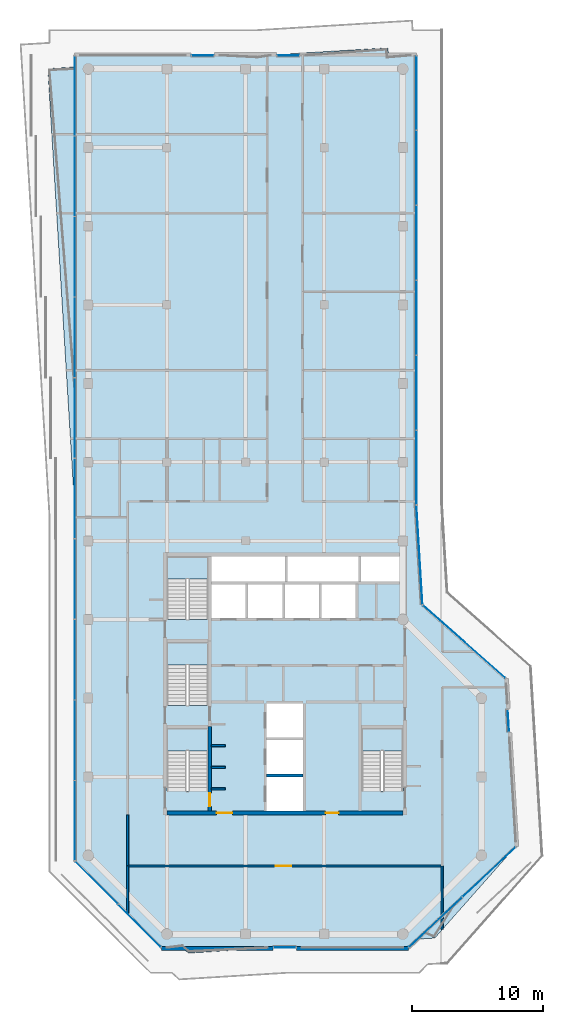
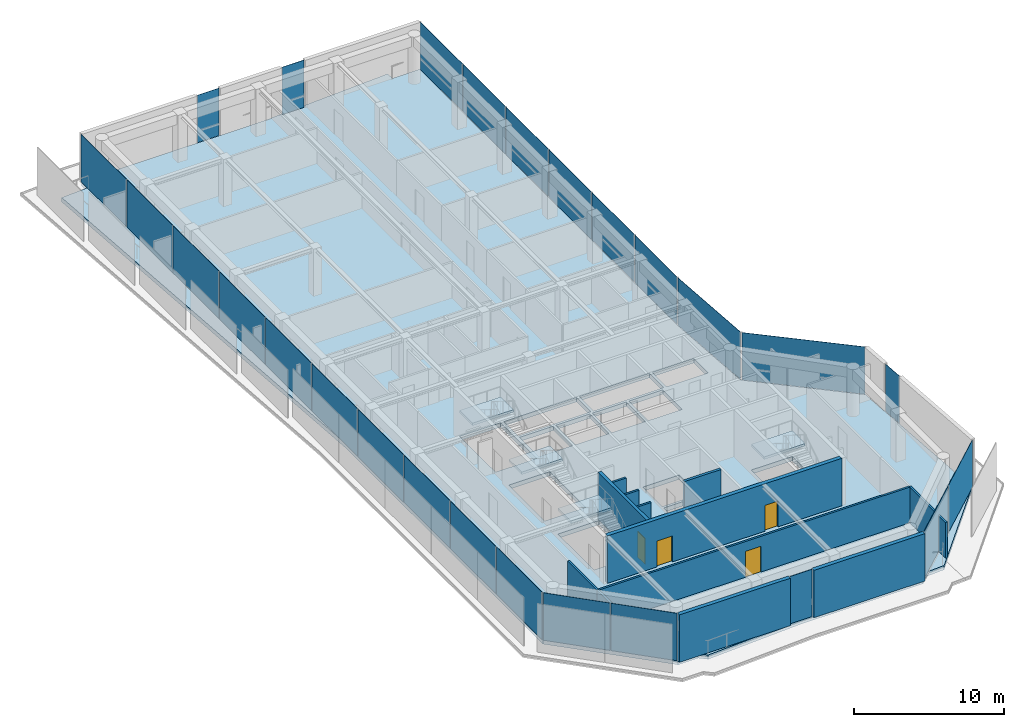
# One storey, part 16 of 21: 26 plates, 12 walls, 5 slabs, 4 doors, 4 openings, 14 elements without a shape of their own.
"""IFC4 building model written with IfcOpenShell, lengths in metres."""

from ifc_helpers import new_model, si_unit, direction, frame, frame_2d, origin, origin_2d, place, context, subcontext, project, spatial, polyline, rectangle, outline, extrude, material, layer, layer_set, type_object, element, fill, aggregate, save


model = new_model("IFC4")

# Units and contexts
model_context = context("Model", 3, precision=1e-05, world=origin(), true_north=direction((0.0, 1.0)))
body_context = subcontext(model_context, "Body", "Model", "MODEL_VIEW")
ifc_project = project(units=[si_unit("LENGTHUNIT", "METRE"), si_unit("AREAUNIT", "SQUARE_METRE"), si_unit("VOLUMEUNIT", "CUBIC_METRE"), si_unit("PLANEANGLEUNIT", "RADIAN"), si_unit("MASSUNIT", "GRAM", prefix="KILO")], contexts=[model_context])

# Site, building, storey
site_placement = place(None, origin())
site = spatial("IfcSite", under=ifc_project, at=site_placement, CompositionType="ELEMENT")
building_placement = place(site_placement, origin())
building = spatial("IfcBuilding", under=site, at=building_placement, Name="Welwitschia Terrace Campus", CompositionType="ELEMENT")
storey_placement = place(building_placement, frame((0.0, 0.0, 302.0)))
storey = spatial("IfcBuildingStorey", under=building, at=storey_placement, Name="L67", CompositionType="ELEMENT", Elevation=302.0)

# Curtain wall, plates
ifc_material_1 = material(Name="Bronze anodised aluminium", Category="aluminium")
ifc_layer_1 = layer(ifc_material_1, 0.1201171875)
ifc_layer_set_1 = layer_set([ifc_layer_1], Name="Bronze anodised aluminium")
curtain_wall_type = type_object("IfcCurtainWallType", Name="Curtain wall CW2 tower 6000", PredefinedType="NOTDEFINED", material=ifc_layer_set_1)
curtain_wall_1_placement = place(storey_placement, origin())
curtain_wall_1 = element("IfcCurtainWall", 1, at=curtain_wall_1_placement, inside=storey, type_object=curtain_wall_type, Name="CW L67.0.0", PredefinedType="NOTDEFINED")
ifc_material_2 = material(Name="Tinted bronze-grey glass", Category="glass")
ifc_layer_2 = layer(ifc_material_2, 0.028076171875)
ifc_layer_set_2 = layer_set([ifc_layer_2], Name="Tinted bronze-grey glass")
plate_type = type_object("IfcPlateType", Name="Glass panel 28 tinted", PredefinedType="CURTAIN_PANEL", material=ifc_layer_set_2)
plate_1_placement = place(storey_placement, frame((0.63134765625, -0.088134765625, 0.0), z_axis=(0.0, 0.0, 1.0), x_axis=(0.707106781187, -0.707106781187, 0.0)))
plate_1 = element("IfcPlate", 2, at=plate_1_placement, type_object=plate_type, Name="Panel L67.0.0.0", PredefinedType="CURTAIN_PANEL", context=body_context, shape_type="SweptSolid", body=[
    extrude(rectangle(XDim=4.579345703125, YDim=0.028076171875, at=origin_2d()), origin(), (0.0, 0.0, 1.0), 3.85009765625),
])
plate_2_placement = place(storey_placement, frame((3.911865234375, -3.36865234375, 0.0), z_axis=(0.0, 0.0, 1.0), x_axis=(0.707106781187, -0.707106781187, 0.0)))
plate_2 = element("IfcPlate", 3, at=plate_2_placement, type_object=plate_type, Name="Panel L67.0.0.1", PredefinedType="CURTAIN_PANEL", context=body_context, shape_type="SweptSolid", body=[
    extrude(rectangle(XDim=4.579345703125, YDim=0.028076171875, at=origin_2d()), origin(), (0.0, 0.0, 1.0), 3.85009765625),
])
aggregate(curtain_wall_1, [plate_1, plate_2])

# Curtain wall, plate
curtain_wall_2_placement = place(storey_placement, origin())
curtain_wall_2 = element("IfcCurtainWall", 4, at=curtain_wall_2_placement, inside=storey, type_object=curtain_wall_type, Name="CW L67.1.S0", PredefinedType="NOTDEFINED")
plate_3_placement = place(storey_placement, frame((15.0, -5.030029296875, 0.0), z_axis=(0.0, 0.0, 1.0), x_axis=(1.0, 0.0, 0.0)))
plate_3 = element("IfcPlate", 5, at=plate_3_placement, type_object=plate_type, Name="Panel L67.1.S0.0", PredefinedType="CURTAIN_PANEL", context=body_context, shape_type="SweptSolid", body=[
    extrude(rectangle(XDim=1.679931640625, YDim=0.028076171875, at=origin_2d()), origin(), (0.0, 0.0, 1.0), 3.85009765625),
])
aggregate(curtain_wall_2, [plate_3])

# Curtain wall, plates
curtain_wall_3_placement = place(storey_placement, origin())
curtain_wall_3 = element("IfcCurtainWall", 6, at=curtain_wall_3_placement, inside=storey, type_object=curtain_wall_type, Name="CW L67.2.0", PredefinedType="NOTDEFINED")
plate_4_placement = place(storey_placement, frame((26.48974609375, -3.09619140625, 0.0), z_axis=(0.0, 0.0, 1.0), x_axis=(0.729574100684, 0.68390177044, 0.0)))
plate_4 = element("IfcPlate", 7, at=plate_4_placement, type_object=plate_type, Name="Panel L67.2.0.0", PredefinedType="CURTAIN_PANEL", context=body_context, shape_type="SweptSolid", body=[
    extrude(rectangle(XDim=5.53564453125, YDim=0.028076171875, at=origin_2d()), origin(), (0.0, 0.0, 1.0), 3.85009765625),
])
plate_5_placement = place(storey_placement, frame((30.572021484375, 0.730712890625, 0.0), z_axis=(0.0, 0.0, 1.0), x_axis=(0.729574100684, 0.68390177044, 0.0)))
plate_5 = element("IfcPlate", 8, at=plate_5_placement, type_object=plate_type, Name="Panel L67.2.0.1", PredefinedType="CURTAIN_PANEL", context=body_context, shape_type="SweptSolid", body=[
    extrude(rectangle(XDim=5.53564453125, YDim=0.028076171875, at=origin_2d()), origin(), (0.0, 0.0, 1.0), 3.85009765625),
])
aggregate(curtain_wall_3, [plate_4, plate_5])

# Curtain wall, plate
curtain_wall_4_placement = place(storey_placement, origin())
curtain_wall_4 = element("IfcCurtainWall", 9, at=curtain_wall_4_placement, inside=storey, type_object=curtain_wall_type, Name="CW L67.3.S0", PredefinedType="NOTDEFINED")
plate_6_placement = place(storey_placement, frame((32.046630859375, 12.28662109375, 0.0), z_axis=(0.0, 0.0, 1.0), x_axis=(-0.061048539535, 0.998134798422, 0.0)))
plate_6 = element("IfcPlate", 10, at=plate_6_placement, type_object=plate_type, Name="Panel L67.3.S0.0", PredefinedType="CURTAIN_PANEL", context=body_context, shape_type="SweptSolid", body=[
    extrude(rectangle(XDim=1.679931640625, YDim=0.028076171875, at=origin_2d()), origin(), (0.0, 0.0, 1.0), 3.85009765625),
])
aggregate(curtain_wall_4, [plate_6])

curtain_wall_5_placement = place(storey_placement, origin())
curtain_wall_5 = element("IfcCurtainWall", 11, at=curtain_wall_5_placement, inside=storey, type_object=curtain_wall_type, Name="CW L67.4.0", PredefinedType="NOTDEFINED")
plate_7_placement = place(storey_placement, frame((28.6728515625, 18.30517578125, 0.0), z_axis=(0.0, 0.0, 1.0), x_axis=(-0.748955720789, 0.662620048216, 0.0)))
plate_7 = element("IfcPlate", 12, at=plate_7_placement, type_object=plate_type, Name="Panel L67.4.0.0", PredefinedType="CURTAIN_PANEL", context=body_context, shape_type="SweptSolid", body=[
    extrude(rectangle(XDim=8.365234375, YDim=0.028076171875, at=origin_2d()), origin(), (0.0, 0.0, 1.0), 3.85009765625),
])
aggregate(curtain_wall_5, [plate_7])

curtain_wall_6_placement = place(storey_placement, origin())
curtain_wall_6 = element("IfcCurtainWall", 13, at=curtain_wall_6_placement, inside=storey, type_object=curtain_wall_type, Name="CW L67.5.0", PredefinedType="NOTDEFINED")
plate_8_placement = place(storey_placement, frame((25.2626953125, 24.921142578125, 0.0), z_axis=(0.0, 0.0, 1.0), x_axis=(-0.061048539535, 0.998134798422, 0.0)))
plate_8 = element("IfcPlate", 14, at=plate_8_placement, type_object=plate_type, Name="Panel L67.5.0.0", PredefinedType="CURTAIN_PANEL", context=body_context, shape_type="SweptSolid", body=[
    extrude(rectangle(XDim=7.503662109375, YDim=0.028076171875, at=origin_2d()), origin(), (0.0, 0.0, 1.0), 3.85009765625),
])
aggregate(curtain_wall_6, [plate_8])

# Curtain wall, plates
curtain_wall_7_placement = place(storey_placement, origin())
curtain_wall_7 = element("IfcCurtainWall", 15, at=curtain_wall_7_placement, inside=storey, type_object=curtain_wall_type, Name="CW L67.6.0", PredefinedType="NOTDEFINED")
plate_9_placement = place(storey_placement, frame((25.030029296875, 31.599609375, 0.0), z_axis=(0.0, 0.0, 1.0), x_axis=(0.0, 1.0, 0.0)))
plate_9 = element("IfcPlate", 16, at=plate_9_placement, type_object=plate_type, Name="Panel L67.6.0.0", PredefinedType="CURTAIN_PANEL", context=body_context, shape_type="SweptSolid", body=[
    extrude(rectangle(XDim=5.62744140625, YDim=0.028076171875, at=origin_2d()), origin(), (0.0, 0.0, 1.0), 3.85009765625),
])
plate_10_placement = place(storey_placement, frame((25.030029296875, 37.302001953125, 0.0), z_axis=(0.0, 0.0, 1.0), x_axis=(0.0, 1.0, 0.0)))
plate_10 = element("IfcPlate", 17, at=plate_10_placement, type_object=plate_type, Name="Panel L67.6.0.1", PredefinedType="CURTAIN_PANEL", context=body_context, shape_type="SweptSolid", body=[
    extrude(rectangle(XDim=5.6572265625, YDim=0.028076171875, at=origin_2d()), origin(), (0.0, 0.0, 1.0), 3.85009765625),
])
plate_11_placement = place(storey_placement, frame((25.030029296875, 43.019287109375, 0.0), z_axis=(0.0, 0.0, 1.0), x_axis=(0.0, 1.0, 0.0)))
plate_11 = element("IfcPlate", 18, at=plate_11_placement, type_object=plate_type, Name="Panel L67.6.0.2", PredefinedType="CURTAIN_PANEL", context=body_context, shape_type="SweptSolid", body=[
    extrude(rectangle(XDim=5.6572265625, YDim=0.028076171875, at=origin_2d()), origin(), (0.0, 0.0, 1.0), 3.85009765625),
])
plate_12_placement = place(storey_placement, frame((25.030029296875, 48.736572265625, 0.0), z_axis=(0.0, 0.0, 1.0), x_axis=(0.0, 1.0, 0.0)))
plate_12 = element("IfcPlate", 19, at=plate_12_placement, type_object=plate_type, Name="Panel L67.6.0.3", PredefinedType="CURTAIN_PANEL", context=body_context, shape_type="SweptSolid", body=[
    extrude(rectangle(XDim=5.6572265625, YDim=0.028076171875, at=origin_2d()), origin(), (0.0, 0.0, 1.0), 3.85009765625),
])
plate_13_placement = place(storey_placement, frame((25.030029296875, 54.4541015625, 0.0), z_axis=(0.0, 0.0, 1.0), x_axis=(0.0, 1.0, 0.0)))
plate_13 = element("IfcPlate", 20, at=plate_13_placement, type_object=plate_type, Name="Panel L67.6.0.4", PredefinedType="CURTAIN_PANEL", context=body_context, shape_type="SweptSolid", body=[
    extrude(rectangle(XDim=5.6572265625, YDim=0.028076171875, at=origin_2d()), origin(), (0.0, 0.0, 1.0), 3.85009765625),
])
plate_14_placement = place(storey_placement, frame((25.030029296875, 60.15625, 0.0), z_axis=(0.0, 0.0, 1.0), x_axis=(0.0, 1.0, 0.0)))
plate_14 = element("IfcPlate", 21, at=plate_14_placement, type_object=plate_type, Name="Panel L67.6.0.5", PredefinedType="CURTAIN_PANEL", context=body_context, shape_type="SweptSolid", body=[
    extrude(rectangle(XDim=5.62744140625, YDim=0.028076171875, at=origin_2d()), origin(), (0.0, 0.0, 1.0), 3.85009765625),
])
aggregate(curtain_wall_7, [plate_9, plate_10, plate_11, plate_12, plate_13, plate_14])

# Curtain wall, plate
curtain_wall_8_placement = place(storey_placement, origin())
curtain_wall_8 = element("IfcCurtainWall", 22, at=curtain_wall_8_placement, inside=storey, type_object=curtain_wall_type, Name="CW L67.7.S0", PredefinedType="NOTDEFINED")
plate_15_placement = place(storey_placement, frame((15.257568359375, 63.030029296875, 0.0), z_axis=(0.0, 0.0, 1.0), x_axis=(-1.0, 0.0, 0.0)))
plate_15 = element("IfcPlate", 23, at=plate_15_placement, type_object=plate_type, Name="Panel L67.7.S0.0", PredefinedType="CURTAIN_PANEL", context=body_context, shape_type="SweptSolid", body=[
    extrude(rectangle(XDim=1.679931640625, YDim=0.028076171875, at=origin_2d()), origin(), (0.0, 0.0, 1.0), 3.85009765625),
])
aggregate(curtain_wall_8, [plate_15])

curtain_wall_9_placement = place(storey_placement, origin())
curtain_wall_9 = element("IfcCurtainWall", 24, at=curtain_wall_9_placement, inside=storey, type_object=curtain_wall_type, Name="CW L67.7.S1", PredefinedType="NOTDEFINED")
plate_16_placement = place(storey_placement, frame((8.742431640625, 63.030029296875, 0.0), z_axis=(0.0, 0.0, 1.0), x_axis=(-1.0, 0.0, 0.0)))
plate_16 = element("IfcPlate", 25, at=plate_16_placement, type_object=plate_type, Name="Panel L67.7.S1.0", PredefinedType="CURTAIN_PANEL", context=body_context, shape_type="SweptSolid", body=[
    extrude(rectangle(XDim=1.679931640625, YDim=0.028076171875, at=origin_2d()), origin(), (0.0, 0.0, 1.0), 3.85009765625),
])
aggregate(curtain_wall_9, [plate_16])

# Curtain wall, plates
curtain_wall_10_placement = place(storey_placement, origin())
curtain_wall_10 = element("IfcCurtainWall", 26, at=curtain_wall_10_placement, inside=storey, type_object=curtain_wall_type, Name="CW L67.8.0", PredefinedType="NOTDEFINED")
plate_17_placement = place(storey_placement, frame((-1.030029296875, 59.942138671875, 0.0), z_axis=(0.0, 0.0, 1.0), x_axis=(0.0, -1.0, 0.0)))
plate_17 = element("IfcPlate", 27, at=plate_17_placement, type_object=plate_type, Name="Panel L67.8.0.0", PredefinedType="CURTAIN_PANEL", context=body_context, shape_type="SweptSolid", body=[
    extrude(rectangle(XDim=6.0556640625, YDim=0.028076171875, at=origin_2d()), origin(), (0.0, 0.0, 1.0), 3.85009765625),
])
plate_18_placement = place(storey_placement, frame((-1.030029296875, 53.8115234375, 0.0), z_axis=(0.0, 0.0, 1.0), x_axis=(0.0, -1.0, 0.0)))
plate_18 = element("IfcPlate", 28, at=plate_18_placement, type_object=plate_type, Name="Panel L67.8.0.1", PredefinedType="CURTAIN_PANEL", context=body_context, shape_type="SweptSolid", body=[
    extrude(rectangle(XDim=6.085693359375, YDim=0.028076171875, at=origin_2d()), origin(), (0.0, 0.0, 1.0), 3.85009765625),
])
plate_19_placement = place(storey_placement, frame((-1.030029296875, 47.665771484375, 0.0), z_axis=(0.0, 0.0, 1.0), x_axis=(0.0, -1.0, 0.0)))
plate_19 = element("IfcPlate", 29, at=plate_19_placement, type_object=plate_type, Name="Panel L67.8.0.2", PredefinedType="CURTAIN_PANEL", context=body_context, shape_type="SweptSolid", body=[
    extrude(rectangle(XDim=6.085693359375, YDim=0.028076171875, at=origin_2d()), origin(), (0.0, 0.0, 1.0), 3.85009765625),
])
plate_20_placement = place(storey_placement, frame((-1.030029296875, 41.520263671875, 0.0), z_axis=(0.0, 0.0, 1.0), x_axis=(0.0, -1.0, 0.0)))
plate_20 = element("IfcPlate", 30, at=plate_20_placement, type_object=plate_type, Name="Panel L67.8.0.3", PredefinedType="CURTAIN_PANEL", context=body_context, shape_type="SweptSolid", body=[
    extrude(rectangle(XDim=6.085693359375, YDim=0.028076171875, at=origin_2d()), origin(), (0.0, 0.0, 1.0), 3.85009765625),
])
plate_21_placement = place(storey_placement, frame((-1.030029296875, 35.37451171875, 0.0), z_axis=(0.0, 0.0, 1.0), x_axis=(0.0, -1.0, 0.0)))
plate_21 = element("IfcPlate", 31, at=plate_21_placement, type_object=plate_type, Name="Panel L67.8.0.4", PredefinedType="CURTAIN_PANEL", context=body_context, shape_type="SweptSolid", body=[
    extrude(rectangle(XDim=6.085693359375, YDim=0.028076171875, at=origin_2d()), origin(), (0.0, 0.0, 1.0), 3.85009765625),
])
plate_22_placement = place(storey_placement, frame((-1.030029296875, 29.228759765625, 0.0), z_axis=(0.0, 0.0, 1.0), x_axis=(0.0, -1.0, 0.0)))
plate_22 = element("IfcPlate", 32, at=plate_22_placement, type_object=plate_type, Name="Panel L67.8.0.5", PredefinedType="CURTAIN_PANEL", context=body_context, shape_type="SweptSolid", body=[
    extrude(rectangle(XDim=6.085693359375, YDim=0.028076171875, at=origin_2d()), origin(), (0.0, 0.0, 1.0), 3.85009765625),
])
plate_23_placement = place(storey_placement, frame((-1.030029296875, 23.083251953125, 0.0), z_axis=(0.0, 0.0, 1.0), x_axis=(0.0, -1.0, 0.0)))
plate_23 = element("IfcPlate", 33, at=plate_23_placement, type_object=plate_type, Name="Panel L67.8.0.6", PredefinedType="CURTAIN_PANEL", context=body_context, shape_type="SweptSolid", body=[
    extrude(rectangle(XDim=6.085693359375, YDim=0.028076171875, at=origin_2d()), origin(), (0.0, 0.0, 1.0), 3.85009765625),
])
plate_24_placement = place(storey_placement, frame((-1.030029296875, 16.9375, 0.0), z_axis=(0.0, 0.0, 1.0), x_axis=(0.0, -1.0, 0.0)))
plate_24 = element("IfcPlate", 34, at=plate_24_placement, type_object=plate_type, Name="Panel L67.8.0.7", PredefinedType="CURTAIN_PANEL", context=body_context, shape_type="SweptSolid", body=[
    extrude(rectangle(XDim=6.085693359375, YDim=0.028076171875, at=origin_2d()), origin(), (0.0, 0.0, 1.0), 3.85009765625),
])
plate_25_placement = place(storey_placement, frame((-1.030029296875, 10.791748046875, 0.0), z_axis=(0.0, 0.0, 1.0), x_axis=(0.0, -1.0, 0.0)))
plate_25 = element("IfcPlate", 35, at=plate_25_placement, type_object=plate_type, Name="Panel L67.8.0.8", PredefinedType="CURTAIN_PANEL", context=body_context, shape_type="SweptSolid", body=[
    extrude(rectangle(XDim=6.085693359375, YDim=0.028076171875, at=origin_2d()), origin(), (0.0, 0.0, 1.0), 3.85009765625),
])
plate_26_placement = place(storey_placement, frame((-1.030029296875, 4.6611328125, 0.0), z_axis=(0.0, 0.0, 1.0), x_axis=(0.0, -1.0, 0.0)))
plate_26 = element("IfcPlate", 36, at=plate_26_placement, type_object=plate_type, Name="Panel L67.8.0.9", PredefinedType="CURTAIN_PANEL", context=body_context, shape_type="SweptSolid", body=[
    extrude(rectangle(XDim=6.0556640625, YDim=0.028076171875, at=origin_2d()), origin(), (0.0, 0.0, 1.0), 3.85009765625),
])
aggregate(curtain_wall_10, [plate_17, plate_18, plate_19, plate_20, plate_21, plate_22, plate_23, plate_24, plate_25, plate_26])

# Stair, slab
ifc_material_3 = material(Name="Concrete C40/50", Category="concrete")
stair_type = type_object("IfcStairType", Name="Stair 24R 175 W1500", PredefinedType="HALF_TURN_STAIR", material=ifc_material_3)
stair_1_placement = place(storey_placement, origin())
stair_1 = element("IfcStair", 37, at=stair_1_placement, inside=storey, type_object=stair_type, Name="L67 Exit stair S1", PredefinedType="HALF_TURN_STAIR")
ifc_material_4 = material(Name="Concrete C40/50", Category="concrete")
ifc_layer_3 = layer(ifc_material_4, 0.199951171875)
ifc_layer_set_3 = layer_set([ifc_layer_3], Name="Concrete C40/50")
slab_type_1 = type_object("IfcSlabType", Name="Stair landing RC", PredefinedType="LANDING", material=ifc_layer_set_3)
slab_1_placement = place(storey_placement, frame((0.0, 0.0, 1.89990234375)))
slab_1 = element("IfcSlab", 38, at=slab_1_placement, type_object=slab_type_1, Name="S1 landing 1", PredefinedType="LANDING", context=body_context, shape_type="SweptSolid", body=[
    extrude(outline(polyline([(9.14990234375, 9.97998046875), (9.14990234375, 11.699951171875), (6.0, 11.699951171875), (6.0, 9.97998046875), (9.14990234375, 9.97998046875)])), origin(), (0.0, 0.0, 1.0), 0.2001953125),
])
aggregate(stair_1, [slab_1])

stair_2_placement = place(storey_placement, origin())
stair_2 = element("IfcStair", 39, at=stair_2_placement, inside=storey, type_object=stair_type, Name="L67 Exit stair S3", PredefinedType="HALF_TURN_STAIR")
slab_2_placement = place(storey_placement, frame((0.0, 0.0, 1.89990234375)))
slab_2 = element("IfcSlab", 40, at=slab_2_placement, type_object=slab_type_1, Name="S3 landing 1", PredefinedType="LANDING", context=body_context, shape_type="SweptSolid", body=[
    extrude(outline(polyline([(9.14990234375, 16.530029296875), (9.14990234375, 18.25), (6.0, 18.25), (6.0, 16.530029296875), (9.14990234375, 16.530029296875)])), origin(), (0.0, 0.0, 1.0), 0.2001953125),
])
aggregate(stair_2, [slab_2])

stair_3_placement = place(storey_placement, origin())
stair_3 = element("IfcStair", 41, at=stair_3_placement, inside=storey, type_object=stair_type, Name="L67 Exit stair S4", PredefinedType="HALF_TURN_STAIR")
slab_3_placement = place(storey_placement, frame((0.0, 0.0, 1.89990234375)))
slab_3 = element("IfcSlab", 42, at=slab_3_placement, type_object=slab_type_1, Name="S4 landing 1", PredefinedType="LANDING", context=body_context, shape_type="SweptSolid", body=[
    extrude(outline(polyline([(9.14990234375, 23.080078125), (9.14990234375, 24.800048828125), (6.0, 24.800048828125), (6.0, 23.080078125), (9.14990234375, 23.080078125)])), origin(), (0.0, 0.0, 1.0), 0.2001953125),
])
aggregate(stair_3, [slab_3])

stair_4_placement = place(storey_placement, origin())
stair_4 = element("IfcStair", 43, at=stair_4_placement, inside=storey, type_object=stair_type, Name="L67 Exit stair S2", PredefinedType="HALF_TURN_STAIR")
slab_4_placement = place(storey_placement, frame((0.0, 0.0, 1.89990234375)))
slab_4 = element("IfcSlab", 44, at=slab_4_placement, type_object=slab_type_1, Name="S2 landing 1", PredefinedType="LANDING", context=body_context, shape_type="SweptSolid", body=[
    extrude(outline(polyline([(24.0, 9.97998046875), (24.0, 11.699951171875), (20.85009765625, 11.699951171875), (20.85009765625, 9.97998046875), (24.0, 9.97998046875)])), origin(), (0.0, 0.0, 1.0), 0.2001953125),
])
aggregate(stair_4, [slab_4])

# Slab
ifc_material_5 = material(Name="Concrete C40/50", Category="concrete")
ifc_layer_4 = layer(ifc_material_5, 0.35009765625)
ifc_layer_set_4 = layer_set([ifc_layer_4], Name="Concrete C40/50")
slab_type_2 = type_object("IfcSlabType", Name="Suspended floor slab 350", PredefinedType="FLOOR", material=ifc_layer_set_4)
slab_5_placement = place(storey_placement, frame((0.0, 0.0, -0.35009765625)))
element("IfcSlab", 45, at=slab_5_placement, inside=storey, type_object=slab_type_2, Name="Floor slab L67", PredefinedType="FLOOR", context=body_context, shape_type="SweptSolid", body=[
    extrude(outline(polyline([(-3.0849609375, 62.021240234375), (-1.0, 62.14892578125), (-1.0, 63.0), (12.91552734375, 63.0), (22.866455078125, 63.608642578125), (22.903564453125, 63.0), (25.0, 63.0), (25.0, 28.72509765625), (25.46630859375, 21.102294921875), (31.8212890625, 15.479736328125), (32.6044921875, 2.67529296875), (26.43310546875, -4.30029296875), (25.028076171875, -4.38623046875), (24.414306640625, -5.0), (14.9931640625, -5.0), (7.6396484375, -5.44970703125), (7.13134765625, -5.0), (5.585693359375, -5.0), (-1.0, 1.585693359375), (-1.0, 27.9306640625), (-3.0849609375, 62.021240234375)]), holes=[polyline([(13.60009765625, 8.0), (13.60009765625, 5.39990234375), (16.39990234375, 5.39990234375), (16.39990234375, 8.0), (13.60009765625, 8.0)]), polyline([(9.14990234375, 11.699951171875), (6.0, 11.699951171875), (6.0, 6.902099609375), (9.14990234375, 6.902099609375), (9.14990234375, 11.699951171875)]), polyline([(9.14990234375, 18.25), (6.0, 18.25), (6.0, 13.451904296875), (9.14990234375, 13.451904296875), (9.14990234375, 18.25)]), polyline([(12.0, 22.699951171875), (9.39990234375, 22.699951171875), (9.39990234375, 20.10009765625), (12.0, 20.10009765625), (12.0, 22.699951171875)]), polyline([(14.800048828125, 22.699951171875), (12.199951171875, 22.699951171875), (12.199951171875, 20.10009765625), (14.800048828125, 20.10009765625), (14.800048828125, 22.699951171875)]), polyline([(9.14990234375, 24.800048828125), (6.0, 24.800048828125), (6.0, 20.001953125), (9.14990234375, 20.001953125), (9.14990234375, 24.800048828125)]), polyline([(15.0, 24.800048828125), (9.39990234375, 24.800048828125), (9.39990234375, 22.89990234375), (15.0, 22.89990234375), (15.0, 24.800048828125)]), polyline([(20.85009765625, 11.699951171875), (20.85009765625, 6.902099609375), (24.0, 6.902099609375), (24.0, 11.699951171875), (20.85009765625, 11.699951171875)]), polyline([(16.39990234375, 10.800048828125), (13.60009765625, 10.800048828125), (13.60009765625, 8.199951171875), (16.39990234375, 8.199951171875), (16.39990234375, 10.800048828125)]), polyline([(16.39990234375, 13.60009765625), (13.60009765625, 13.60009765625), (13.60009765625, 11.0), (16.39990234375, 11.0), (16.39990234375, 13.60009765625)]), polyline([(17.60009765625, 22.699951171875), (15.0, 22.699951171875), (15.0, 20.10009765625), (17.60009765625, 20.10009765625), (17.60009765625, 22.699951171875)]), polyline([(20.39990234375, 22.699951171875), (17.800048828125, 22.699951171875), (17.800048828125, 20.10009765625), (20.39990234375, 20.10009765625), (20.39990234375, 22.699951171875)]), polyline([(20.60009765625, 24.800048828125), (15.199951171875, 24.800048828125), (15.199951171875, 22.89990234375), (20.60009765625, 22.89990234375), (20.60009765625, 24.800048828125)]), polyline([(24.0, 24.800048828125), (20.800048828125, 24.800048828125), (20.800048828125, 22.89990234375), (24.0, 22.89990234375), (24.0, 24.800048828125)])]), origin(), (0.0, 0.0, 1.0), 0.35009765625),
])

# Walls
ifc_material_6 = material(Name="Concrete C50/60", Category="concrete")
ifc_layer_5 = layer(ifc_material_6, 0.14990234375)
ifc_layer_set_5 = layer_set([ifc_layer_5], Name="Concrete C50/60")
wall_type_1 = type_object("IfcWallType", Name="Core wall 150 Concrete C50/60", PredefinedType="SHEAR", material=ifc_layer_set_5)
for number, where, z_axis, x_axis, name in (
    (46, (9.39990234375, 7.074951171875, 0.0), (0.0, 0.0, 1.0), (1.0, 0.0, 0.0), "Core wall"),
    (47, (9.39990234375, 8.72509765625, 0.0), (0.0, 0.0, 1.0), (1.0, 0.0, 0.0), "Core wall"),
    (48, (9.39990234375, 10.375, 0.0), (0.0, 0.0, 1.0), (1.0, 0.0, 0.0), "Core wall"),
):
    element("IfcWall", number, at=place(storey_placement, frame(where, z_axis=z_axis, x_axis=x_axis)), inside=storey, type_object=wall_type_1, Name=name, PredefinedType="SHEAR", context=body_context, shape_type="SweptSolid", body=[
        extrude(rectangle(XDim=1.050048828125, YDim=0.14990234375, at=frame_2d((0.52490234375, 0.0))), origin(), (0.0, 0.0, 1.0), 3.85009765625),
    ])
ifc_material_7 = material(Name="Concrete C50/60", Category="concrete")
ifc_layer_6 = layer(ifc_material_7, 0.199951171875)
ifc_layer_set_6 = layer_set([ifc_layer_6], Name="Concrete C50/60")
wall_type_2 = type_object("IfcWallType", Name="Core wall 200 Concrete C50/60", PredefinedType="SHEAR", material=ifc_layer_set_6)
wall_1_placement = place(storey_placement, frame((13.60009765625, 8.10009765625, 0.0), z_axis=(0.0, 0.0, 1.0), x_axis=(1.0, 0.0, 0.0)))
element("IfcWall", 49, at=wall_1_placement, inside=storey, type_object=wall_type_2, Name="Core wall", PredefinedType="SHEAR", context=body_context, shape_type="SweptSolid", body=[
    extrude(rectangle(XDim=2.7998046875, YDim=0.199951171875, at=frame_2d((1.39990234375, 0.0))), origin(), (0.0, 0.0, 1.0), 3.85009765625),
])

# Wall, opening, door
ifc_material_8 = material(Name="Concrete C50/60", Category="concrete")
ifc_layer_7 = layer(ifc_material_8, 0.25)
ifc_layer_set_7 = layer_set([ifc_layer_7], Name="Concrete C50/60")
wall_type_3 = type_object("IfcWallType", Name="Core wall 250 Concrete C50/60", PredefinedType="SHEAR", material=ifc_layer_set_7)
wall_2_placement = place(storey_placement, frame((9.27490234375, 11.824951171875, 0.0), z_axis=(0.0, 0.0, 1.0), x_axis=(0.0, -1.0, 0.0)))
wall_2 = element("IfcWall", 50, at=wall_2_placement, inside=storey, type_object=wall_type_3, Name="Core wall", PredefinedType="SHEAR", context=body_context, shape_type="SweptSolid", body=[
    extrude(rectangle(XDim=6.425048828125, YDim=0.25, at=frame_2d((3.21240234375, 0.0))), origin(), (0.0, 0.0, 1.0), 3.85009765625),
])
opening_1_placement = place(wall_2_placement, frame((5.074951171875, 0.0, 0.0)))
opening_1 = element("IfcOpeningElement", 51, at=opening_1_placement, cuts=wall_2, Name="Opening DS10", PredefinedType="OPENING", context=body_context, shape_type="SweptSolid", body=[
    extrude(rectangle(XDim=1.0, YDim=2.10009765625, at=frame_2d((0.5, 1.050048828125))), frame((0.0, 0.135009765625, 0.0), z_axis=(0.0, -1.0, 0.0), x_axis=(1.0, 0.0, 0.0)), (0.0, 0.0, 1.0), 0.27001953125),
])
ifc_material_9 = material(Name="Steel S275", Category="steel")
door_type_1 = type_object("IfcDoorType", Name="Core door DS10", OperationType="SINGLE_SWING_LEFT", PredefinedType="DOOR", material=ifc_material_9)
door_1_placement = place(opening_1_placement, origin())
door_1 = element("IfcDoor", 52, at=door_1_placement, inside=storey, type_object=door_type_1, Name="Door S1-FL", OperationType="SINGLE_SWING_RIGHT", OverallHeight=2.10009765625, OverallWidth=1.0, PredefinedType="DOOR", context=body_context, shape_type="SweptSolid", body=[
    extrude(rectangle(XDim=1.0, YDim=2.10009765625, at=frame_2d((0.5, 1.050048828125))), frame((0.0, 0.02490234375, 0.0), z_axis=(0.0, -1.0, 0.0), x_axis=(1.0, 0.0, 0.0)), (0.0, 0.0, 1.0), 0.050048828125),
])
fill(opening_1, door_1)

# Wall, openings, doors
ifc_material_10 = material(Name="Concrete C50/60", Category="concrete")
ifc_layer_8 = layer(ifc_material_10, 0.300048828125)
ifc_layer_set_8 = layer_set([ifc_layer_8], Name="Concrete C50/60")
wall_type_4 = type_object("IfcWallType", Name="Core wall 300 Concrete C50/60", PredefinedType="SHEAR", material=ifc_layer_set_8)
wall_3_placement = place(storey_placement, frame((24.0, 5.25, 0.0), z_axis=(0.0, 0.0, 1.0), x_axis=(-1.0, 0.0, 0.0)))
wall_3 = element("IfcWall", 53, at=wall_3_placement, inside=storey, type_object=wall_type_4, Name="Core outer wall", PredefinedType="SHEAR", context=body_context, shape_type="SweptSolid", body=[
    extrude(rectangle(XDim=18.0, YDim=0.300048828125, at=frame_2d((9.0, 0.0))), origin(), (0.0, 0.0, 1.0), 3.85009765625),
])
opening_2_placement = place(wall_3_placement, frame((13.0, 0.0, 0.0)))
opening_2 = element("IfcOpeningElement", 54, at=opening_2_placement, cuts=wall_3, Name="Opening DF12", PredefinedType="OPENING", context=body_context, shape_type="SweptSolid", body=[
    extrude(rectangle(XDim=1.199951171875, YDim=2.10009765625, at=frame_2d((0.60009765625, 1.050048828125))), frame((0.0, 0.159912109375, 0.0), z_axis=(0.0, -1.0, 0.0), x_axis=(1.0, 0.0, 0.0)), (0.0, 0.0, 1.0), 0.320068359375),
])
opening_3_placement = place(wall_3_placement, frame((4.89990234375, 0.0, 0.0)))
opening_3 = element("IfcOpeningElement", 55, at=opening_3_placement, cuts=wall_3, Name="Opening DR10", PredefinedType="OPENING", context=body_context, shape_type="SweptSolid", body=[
    extrude(rectangle(XDim=1.0, YDim=2.10009765625, at=frame_2d((0.5, 1.050048828125))), frame((0.0, 0.159912109375, 0.0), z_axis=(0.0, -1.0, 0.0), x_axis=(1.0, 0.0, 0.0)), (0.0, 0.0, 1.0), 0.320068359375),
])
ifc_material_11 = material(Name="Steel S275", Category="steel")
door_type_2 = type_object("IfcDoorType", Name="Core door DF12", OperationType="SINGLE_SWING_LEFT", PredefinedType="DOOR", material=ifc_material_11)
door_2_placement = place(opening_2_placement, origin())
door_2 = element("IfcDoor", 56, at=door_2_placement, inside=storey, type_object=door_type_2, Name="Door FL-out", OperationType="SINGLE_SWING_RIGHT", OverallHeight=2.10009765625, OverallWidth=1.199951171875, PredefinedType="DOOR", context=body_context, shape_type="SweptSolid", body=[
    extrude(rectangle(XDim=1.199951171875, YDim=2.10009765625, at=frame_2d((0.60009765625, 1.050048828125))), frame((0.0, 0.02490234375, 0.0), z_axis=(0.0, -1.0, 0.0), x_axis=(1.0, 0.0, 0.0)), (0.0, 0.0, 1.0), 0.050048828125),
])
fill(opening_2, door_2)
ifc_material_12 = material(Name="Steel S275", Category="steel")
door_type_3 = type_object("IfcDoorType", Name="Core door DR10", OperationType="SINGLE_SWING_LEFT", PredefinedType="DOOR", material=ifc_material_12)
door_3_placement = place(opening_3_placement, origin())
door_3 = element("IfcDoor", 57, at=door_3_placement, inside=storey, type_object=door_type_3, Name="Door F1-out", OperationType="SINGLE_SWING_LEFT", OverallHeight=2.10009765625, OverallWidth=1.0, PredefinedType="DOOR", context=body_context, shape_type="SweptSolid", body=[
    extrude(rectangle(XDim=1.0, YDim=2.10009765625, at=frame_2d((0.5, 1.050048828125))), frame((0.0, 0.02490234375, 0.0), z_axis=(0.0, -1.0, 0.0), x_axis=(1.0, 0.0, 0.0)), (0.0, 0.0, 1.0), 0.050048828125),
])
fill(opening_3, door_3)

# Walls
ifc_material_13 = material(Name="Gypsum board on steel studs", Category="steel")
ifc_layer_9 = layer(ifc_material_13, 0.14990234375)
ifc_layer_set_9 = layer_set([ifc_layer_9], Name="Gypsum board on steel studs")
wall_type_5 = type_object("IfcWallType", Name="Corridor partition 150 EI 30", PredefinedType="PARTITIONING", material=ifc_layer_set_9)
wall_4_placement = place(storey_placement, frame((3.0, -2.389892578125, 0.0), z_axis=(0.0, 0.0, 1.0), x_axis=(0.0, 1.0, 0.0)))
element("IfcWall", 58, at=wall_4_placement, inside=storey, type_object=wall_type_5, Name="Partition", PredefinedType="PARTITIONING", context=body_context, shape_type="SweptSolid", body=[
    extrude(rectangle(XDim=3.58984375, YDim=0.14990234375, at=frame_2d((1.794921875, 0.0))), origin(), (0.0, 0.0, 1.0), 2.89990234375),
])
wall_5_placement = place(storey_placement, frame((3.0, 1.199951171875, 0.0), z_axis=(0.0, 0.0, 1.0), x_axis=(0.0, 1.0, 0.0)))
element("IfcWall", 59, at=wall_5_placement, inside=storey, type_object=wall_type_5, Name="Partition", PredefinedType="PARTITIONING", context=body_context, shape_type="SweptSolid", body=[
    extrude(rectangle(XDim=3.900146484375, YDim=0.14990234375, at=frame_2d((1.9501953125, 0.0))), origin(), (0.0, 0.0, 1.0), 2.89990234375),
])
wall_6_placement = place(storey_placement, frame((27.0, -3.6298828125, 0.0), z_axis=(0.0, 0.0, 1.0), x_axis=(0.0, 1.0, 0.0)))
element("IfcWall", 60, at=wall_6_placement, inside=storey, type_object=wall_type_5, Name="Partition", PredefinedType="PARTITIONING", context=body_context, shape_type="SweptSolid", body=[
    extrude(rectangle(XDim=4.829833984375, YDim=0.14990234375, at=frame_2d((2.4150390625, 0.0))), origin(), (0.0, 0.0, 1.0), 2.89990234375),
])

# Wall, opening, door
wall_7_placement = place(storey_placement, frame((27.0, 1.199951171875, 0.0), z_axis=(0.0, 0.0, 1.0), x_axis=(-1.0, 0.0, 0.0)))
wall_7 = element("IfcWall", 61, at=wall_7_placement, inside=storey, type_object=wall_type_5, Name="Partition", PredefinedType="PARTITIONING", context=body_context, shape_type="SweptSolid", body=[
    extrude(rectangle(XDim=24.0, YDim=0.14990234375, at=frame_2d((12.0, 0.0))), origin(), (0.0, 0.0, 1.0), 2.89990234375),
])
opening_4_placement = place(wall_7_placement, frame((11.5, 0.0, 0.0)))
opening_4 = element("IfcOpeningElement", 62, at=opening_4_placement, cuts=wall_7, Name="Opening DI12", PredefinedType="OPENING", context=body_context, shape_type="SweptSolid", body=[
    extrude(rectangle(XDim=1.199951171875, YDim=2.10009765625, at=frame_2d((0.60009765625, 1.050048828125))), frame((0.0, 0.0849609375, 0.0), z_axis=(0.0, -1.0, 0.0), x_axis=(1.0, 0.0, 0.0)), (0.0, 0.0, 1.0), 0.169921875),
])
ifc_material_14 = material(Name="Timber veneered door", Category="wood")
door_type_4 = type_object("IfcDoorType", Name="Interior door DI12", OperationType="NOTDEFINED", PredefinedType="DOOR", material=ifc_material_14)
door_4_placement = place(opening_4_placement, origin())
door_4 = element("IfcDoor", 63, at=door_4_placement, inside=storey, type_object=door_type_4, Name="Door L67 1197", OperationType="SINGLE_SWING_RIGHT", OverallHeight=2.10009765625, OverallWidth=1.199951171875, PredefinedType="DOOR", context=body_context, shape_type="SweptSolid", body=[
    extrude(rectangle(XDim=1.199951171875, YDim=2.10009765625, at=frame_2d((0.60009765625, 1.050048828125))), frame((0.0, 0.02490234375, 0.0), z_axis=(0.0, -1.0, 0.0), x_axis=(1.0, 0.0, 0.0)), (0.0, 0.0, 1.0), 0.050048828125),
])
fill(opening_4, door_4)

# Walls
ifc_material_15 = material(Name="Concrete C40/50", Category="concrete")
ifc_layer_10 = layer(ifc_material_15, 0.300048828125)
ifc_layer_set_10 = layer_set([ifc_layer_10], Name="Concrete C40/50")
wall_type_6 = type_object("IfcWallType", Name="Mass wall 300", PredefinedType="SOLIDWALL", material=ifc_layer_set_10)
for number, where, z_axis, x_axis, name in (
    (64, (5.573486328125, -5.07958984375, 0.0), (0.0, 0.0, 1.0), (1.0, 0.0, 0.0), "Mass wall L67.1.0"),
    (65, (15.89990234375, -5.07958984375, 0.0), (0.0, 0.0, 1.0), (1.0, 0.0, 0.0), "Mass wall L67.1.1"),
):
    element("IfcWall", number, at=place(storey_placement, frame(where, z_axis=z_axis, x_axis=x_axis)), inside=storey, type_object=wall_type_6, Name=name, PredefinedType="SOLIDWALL", context=body_context, shape_type="SweptSolid", body=[
        extrude(rectangle(XDim=8.526611328125, YDim=0.300048828125, at=frame_2d((4.26318359375, 0.0))), origin(), (0.0, 0.0, 1.0), 3.85009765625),
    ])

save(model, "model.ifc")
